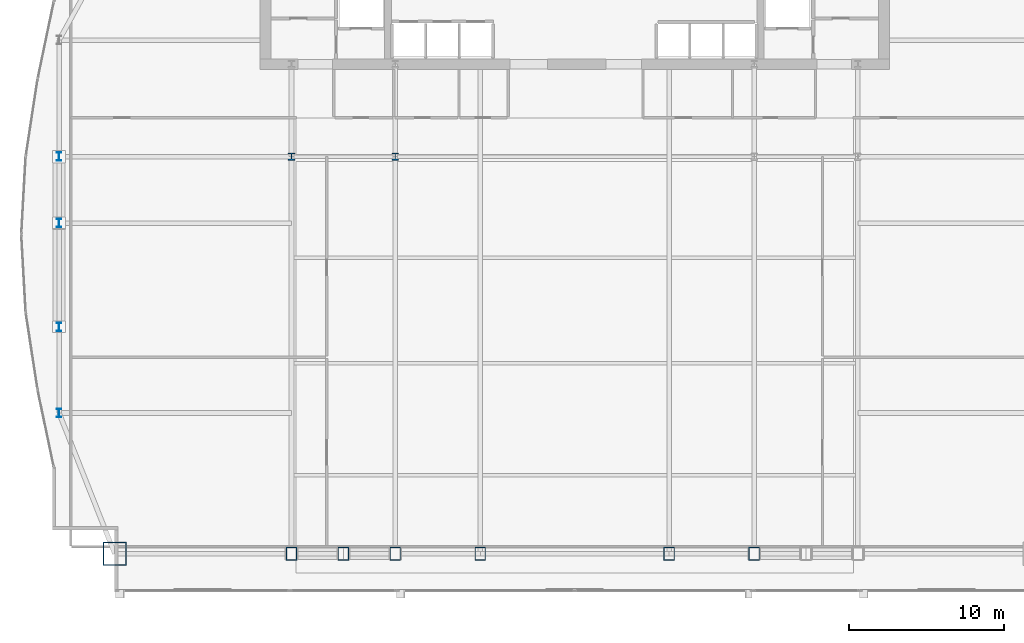
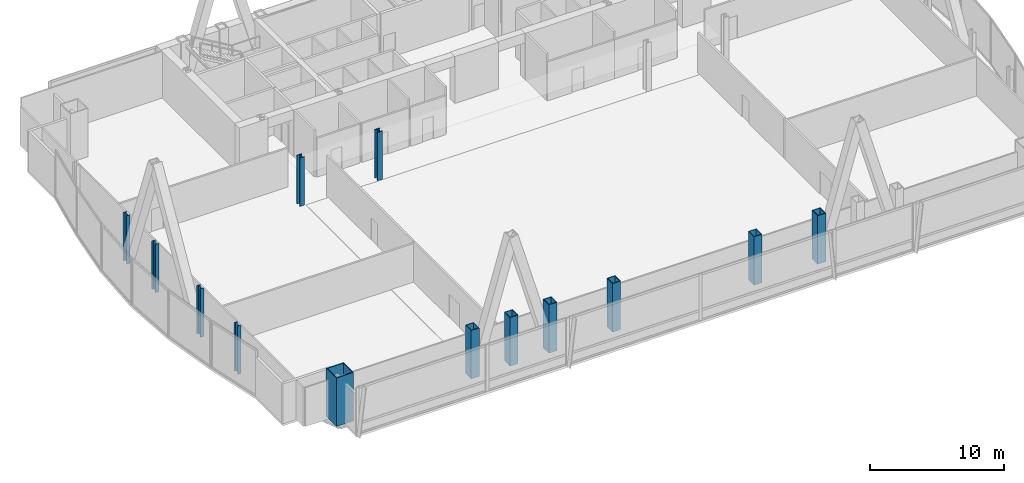
# One storey, part 1 of 32: 13 columns.
"""IFC4 building model written with IfcOpenShell, lengths in metres."""

from ifc_helpers import new_model, si_unit, direction, frame, origin, origin_2d, place, context, subcontext, project, spatial, hollow_rectangle, i_section, extrude, material, material_profile, profile_set, type_object, element, save


model = new_model("IFC4")

# Units and contexts
model_context = context("Model", 3, precision=1e-05, world=origin(), true_north=direction((0.0, 1.0)))
body_context = subcontext(model_context, "Body", "Model", "MODEL_VIEW")
ifc_project = project(units=[si_unit("LENGTHUNIT", "METRE"), si_unit("AREAUNIT", "SQUARE_METRE"), si_unit("VOLUMEUNIT", "CUBIC_METRE"), si_unit("PLANEANGLEUNIT", "RADIAN"), si_unit("MASSUNIT", "GRAM", prefix="KILO")], contexts=[model_context])

# Site, building, storey
site_placement = place(None, origin())
site = spatial("IfcSite", under=ifc_project, at=site_placement, CompositionType="ELEMENT")
building_placement = place(site_placement, origin())
building = spatial("IfcBuilding", under=site, at=building_placement, Name="Khoronbel Lancet Exchange", CompositionType="ELEMENT")
storey_placement = place(building_placement, frame((0.0, 0.0, 106.60009765625)))
storey = spatial("IfcBuildingStorey", under=building, at=storey_placement, Name="L25", CompositionType="ELEMENT", Elevation=106.60009765625)

# Columns
ifc_material_1 = material(Name="Steel S460", Category="steel")
ifc_material_profile_1 = material_profile(ifc_material_1, hollow_rectangle(XDim=0.699951171875, YDim=0.85009765625, WallThickness=0.050048828125, at=origin_2d()), Name="BOX 850x700x50")
ifc_profile_set_1 = profile_set([ifc_material_profile_1], Name="Steel S460")
column_type_1 = type_object("IfcColumnType", Name="COL-EC2", PredefinedType="COLUMN", material=ifc_profile_set_1)
for number, where, z_axis, x_axis, name in (
    (1, (18.22509765625, 10.14990234375, 0.0), (0.0, 0.0, 1.0), (1.0, 0.0, 0.0), "Structural column SC-W1 L25"),
    (2, (21.5625, 10.14990234375, 0.0), (0.0, 0.0, 1.0), (1.0, 0.0, 0.0), "Structural column SC-WM L25"),
    (3, (24.89990234375, 10.14990234375, 0.0), (0.0, 0.0, 1.0), (1.0, 0.0, 0.0), "Structural column SC-W2 L25"),
    (4, (30.375, 10.14990234375, 0.0), (0.0, 0.0, 1.0), (1.0, 0.0, 0.0), "Structural column SC-C1 L25"),
    (5, (42.52490234375, 10.14990234375, 0.0), (0.0, 0.0, 1.0), (1.0, 0.0, 0.0), "Structural column SC-C2 L25"),
    (6, (48.0, 10.14990234375, 0.0), (0.0, 0.0, 1.0), (1.0, 0.0, 0.0), "Structural column SC-E1 L25"),
):
    element("IfcColumn", number, at=place(storey_placement, frame(where, z_axis=z_axis, x_axis=x_axis)), inside=storey, type_object=column_type_1, Name=name, PredefinedType="COLUMN", context=body_context, shape_type="SweptSolid", body=[
        extrude(hollow_rectangle(XDim=0.699951171875, YDim=0.85009765625, WallThickness=0.050048828125, at=origin_2d()), origin(), (0.0, 0.0, 1.0), 4.39990234375),
    ])
ifc_material_profile_2 = material_profile(ifc_material_1, i_section(OverallWidth=0.424072265625, OverallDepth=0.47412109375, WebThickness=0.047607421875, FlangeThickness=0.076904296875, at=origin_2d()), Name="HD 400x634")
ifc_profile_set_2 = profile_set([ifc_material_profile_2], Name="Steel S460")
column_type_2 = type_object("IfcColumnType", Name="COL-IC1", PredefinedType="COLUMN", material=ifc_profile_set_2)
for number, where, z_axis, x_axis, name in (
    (7, (18.22509765625, 35.699951171875, 0.0), (0.0, 0.0, 1.0), (1.0, 0.0, 0.0), "Spine gravity column TC1 L25"),
    (8, (24.89990234375, 35.699951171875, 0.0), (0.0, 0.0, 1.0), (1.0, 0.0, 0.0), "Spine gravity column TC2 L25"),
):
    element("IfcColumn", number, at=place(storey_placement, frame(where, z_axis=z_axis, x_axis=x_axis)), inside=storey, type_object=column_type_2, Name=name, PredefinedType="COLUMN", context=body_context, shape_type="SweptSolid", body=[
        extrude(i_section(OverallWidth=0.424072265625, OverallDepth=0.47412109375, WebThickness=0.047607421875, FlangeThickness=0.076904296875, at=origin_2d()), origin(), (0.0, 0.0, 1.0), 4.39990234375),
    ])
ifc_material_2 = material(Name="Steel S355", Category="steel")
ifc_material_profile_3 = material_profile(ifc_material_2, i_section(OverallWidth=0.300048828125, OverallDepth=0.550048828125, WebThickness=0.014892578125, FlangeThickness=0.029052734375, at=origin_2d()), Name="HEB 550")
ifc_profile_set_3 = profile_set([ifc_material_profile_3], Name="Steel S355")
column_type_3 = type_object("IfcColumnType", Name="COL-LC1", PredefinedType="COLUMN", material=ifc_profile_set_3)
for number, where, z_axis, x_axis, name in (
    (9, (3.27001953125, 19.199951171875, 0.0), (0.0, 0.0, 1.0), (1.0, 0.0, 0.0), "Structural column WC-1 L25"),
    (10, (3.27001953125, 24.75, 0.0), (0.0, 0.0, 1.0), (1.0, 0.0, 0.0), "Structural column WC-2 L25"),
    (11, (3.27001953125, 31.425048828125, 0.0), (0.0, 0.0, 1.0), (1.0, 0.0, 0.0), "Structural column WC-M L25"),
    (12, (3.27001953125, 35.699951171875, 0.0), (0.0, 0.0, 1.0), (1.0, 0.0, 0.0), "Structural column WC-3 L25"),
):
    element("IfcColumn", number, at=place(storey_placement, frame(where, z_axis=z_axis, x_axis=x_axis)), inside=storey, type_object=column_type_3, Name=name, PredefinedType="COLUMN", context=body_context, shape_type="SweptSolid", body=[
        extrude(i_section(OverallWidth=0.300048828125, OverallDepth=0.550048828125, WebThickness=0.014892578125, FlangeThickness=0.029052734375, at=origin_2d()), origin(), (0.0, 0.0, 1.0), 4.39990234375),
    ])
ifc_material_profile_4 = material_profile(ifc_material_1, hollow_rectangle(XDim=1.5, YDim=1.5, WallThickness=0.070068359375, at=origin_2d()), Name="BOX 1500x1500x70")
ifc_profile_set_4 = profile_set([ifc_material_profile_4], Name="Steel S460")
column_type_4 = type_object("IfcColumnType", Name="COL-MC3", PredefinedType="COLUMN", material=ifc_profile_set_4)
column_placement = place(storey_placement, frame((6.85009765625, 10.14990234375, 0.0), z_axis=(0.0, 0.0, 1.0), x_axis=(1.0, 0.0, 0.0)))
element("IfcColumn", 13, at=column_placement, inside=storey, type_object=column_type_4, Name="Structural column MC-SW L25", PredefinedType="COLUMN", context=body_context, shape_type="SweptSolid", body=[
    extrude(hollow_rectangle(XDim=1.5, YDim=1.5, WallThickness=0.070068359375, at=origin_2d()), origin(), (0.0, 0.0, 1.0), 4.39990234375),
])

save(model, "model.ifc")
